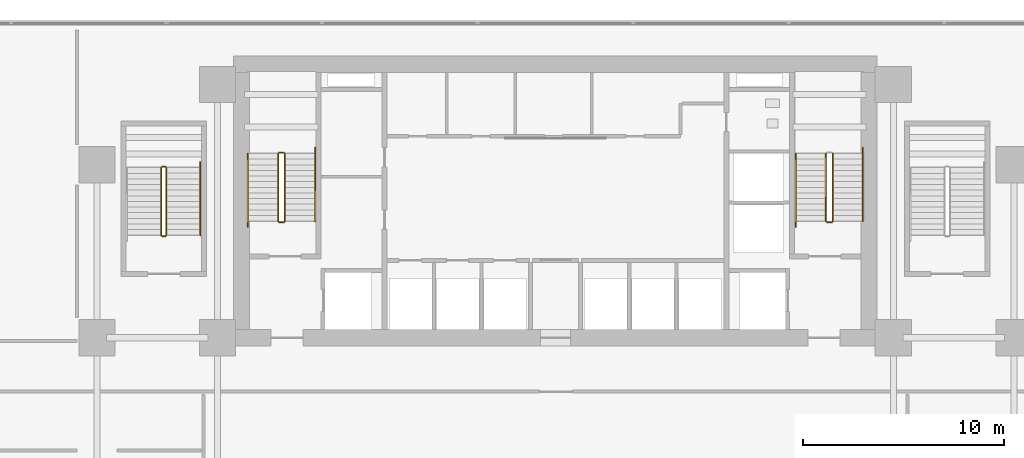
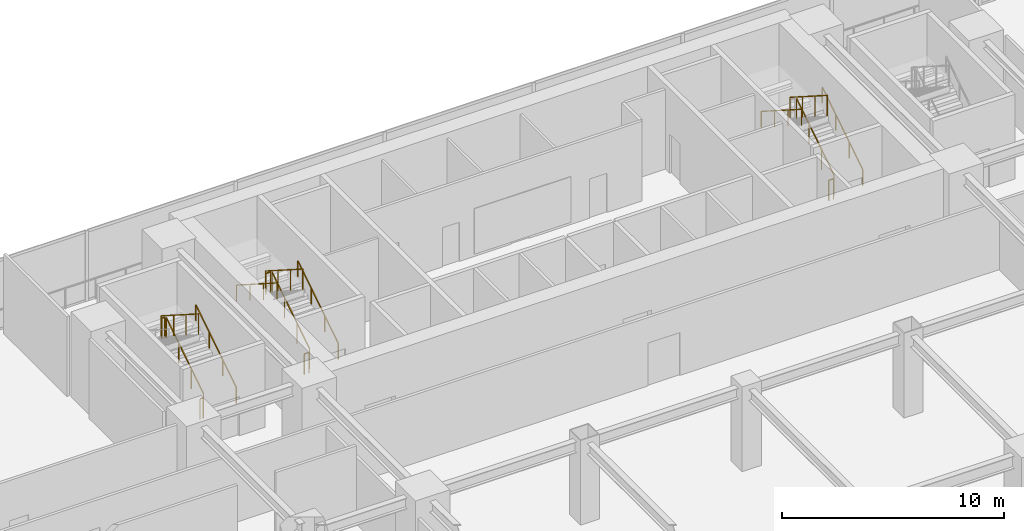
# One storey, part 13 of 17: 16 railings.
"""IFC4 building model written with IfcOpenShell, lengths in metres."""

from ifc_helpers import new_model, si_unit, direction, frame, origin, origin_2d, place, context, subcontext, project, spatial, rectangle, extrude, material, type_object, element, save


model = new_model("IFC4")

# Units and contexts
model_context = context("Model", 3, precision=1e-05, world=origin(), true_north=direction((0.0, 1.0)))
body_context = subcontext(model_context, "Body", "Model", "MODEL_VIEW")
ifc_project = project(units=[si_unit("LENGTHUNIT", "METRE"), si_unit("AREAUNIT", "SQUARE_METRE"), si_unit("VOLUMEUNIT", "CUBIC_METRE"), si_unit("PLANEANGLEUNIT", "RADIAN"), si_unit("MASSUNIT", "GRAM", prefix="KILO")], contexts=[model_context])

# Site, building, storey
site_placement = place(None, origin())
site = spatial("IfcSite", under=ifc_project, at=site_placement, CompositionType="ELEMENT")
building_placement = place(site_placement, origin())
building = spatial("IfcBuilding", under=site, at=building_placement, Name="Sumidabori Civic Tower", CompositionType="ELEMENT")
storey_placement = place(building_placement, frame((0.0, 0.0, 9.64990234375)))
storey = spatial("IfcBuildingStorey", under=building, at=storey_placement, Name="L02", CompositionType="ELEMENT", Elevation=9.64990234375)

# Railings
ifc_material_1 = material(Name="Stainless Steel Hairline Finish", Category="steel")
railing_type_1 = type_object("IfcRailingType", Name="RL-HANDRAIL", PredefinedType="HANDRAIL", material=ifc_material_1)
railing_1_placement = place(storey_placement, frame((-11.949951171875, 16.0, 0.178955078125)))
element("IfcRailing", 1, at=railing_1_placement, inside=storey, type_object=railing_type_1, Name="L02 ST-1 stair handrail 1", PredefinedType="HANDRAIL", context=body_context, shape_type="SweptSolid", body=[
    extrude(rectangle(XDim=0.048095703125, YDim=0.048095703125, at=origin_2d()), frame((0.0, 0.0, 0.8759765625), z_axis=(0.0, 0.842342193388, 0.538943066787), x_axis=(-1.0, 0.0, 0.0)), (0.0, 0.0, 1.0), 4.321044921875),
    extrude(rectangle(XDim=0.0419921875, YDim=0.0419921875, at=origin_2d()), origin(), (0.0, 0.0, 1.0), 0.851806640625),
    extrude(rectangle(XDim=0.0419921875, YDim=0.0419921875, at=origin_2d()), frame((0.0, 1.21337890625, 0.7763671875)), (0.0, 0.0, 1.0), 0.851806640625),
    extrude(rectangle(XDim=0.0419921875, YDim=0.0419921875, at=origin_2d()), frame((0.0, 2.426513671875, 1.552490234375)), (0.0, 0.0, 1.0), 0.851806640625),
    extrude(rectangle(XDim=0.0419921875, YDim=0.0419921875, at=origin_2d()), frame((0.0, 3.639892578125, 2.328857421875)), (0.0, 0.0, 1.0), 0.851806640625),
])
railing_2_placement = place(storey_placement, frame((-15.2900390625, 19.360107421875, 2.50390625)))
element("IfcRailing", 2, at=railing_2_placement, inside=storey, type_object=railing_type_1, Name="L02 ST-1 stair handrail 2", PredefinedType="HANDRAIL", context=body_context, shape_type="SweptSolid", body=[
    extrude(rectangle(XDim=0.048095703125, YDim=0.048095703125, at=origin_2d()), frame((0.0, 0.0, 0.8759765625), z_axis=(0.0, -0.842358602868, 0.538917418696), x_axis=(1.0, 0.0, 0.0)), (0.0, 0.0, 1.0), 4.3212890625),
    extrude(rectangle(XDim=0.0419921875, YDim=0.0419921875, at=origin_2d()), origin(), (0.0, 0.0, 1.0), 0.851806640625),
    extrude(rectangle(XDim=0.0419921875, YDim=0.0419921875, at=origin_2d()), frame((0.0, -1.21337890625, 0.7763671875)), (0.0, 0.0, 1.0), 0.851806640625),
    extrude(rectangle(XDim=0.0419921875, YDim=0.0419921875, at=origin_2d()), frame((0.0, -2.4267578125, 1.552490234375)), (0.0, 0.0, 1.0), 0.851806640625),
    extrude(rectangle(XDim=0.0419921875, YDim=0.0419921875, at=origin_2d()), frame((0.0, -3.64013671875, 2.328857421875)), (0.0, 0.0, 1.0), 0.851806640625),
])
railing_3_placement = place(storey_placement, frame((15.2900390625, 16.0, 0.178955078125)))
element("IfcRailing", 3, at=railing_3_placement, inside=storey, type_object=railing_type_1, Name="L02 ST-2 stair handrail 1", PredefinedType="HANDRAIL", context=body_context, shape_type="SweptSolid", body=[
    extrude(rectangle(XDim=0.048095703125, YDim=0.048095703125, at=origin_2d()), frame((0.0, 0.0, 0.8759765625), z_axis=(0.0, 0.842342193388, 0.538943066787), x_axis=(-1.0, 0.0, 0.0)), (0.0, 0.0, 1.0), 4.321044921875),
    extrude(rectangle(XDim=0.0419921875, YDim=0.0419921875, at=origin_2d()), origin(), (0.0, 0.0, 1.0), 0.851806640625),
    extrude(rectangle(XDim=0.0419921875, YDim=0.0419921875, at=origin_2d()), frame((0.0, 1.21337890625, 0.7763671875)), (0.0, 0.0, 1.0), 0.851806640625),
    extrude(rectangle(XDim=0.0419921875, YDim=0.0419921875, at=origin_2d()), frame((0.0, 2.426513671875, 1.552490234375)), (0.0, 0.0, 1.0), 0.851806640625),
    extrude(rectangle(XDim=0.0419921875, YDim=0.0419921875, at=origin_2d()), frame((0.0, 3.639892578125, 2.328857421875)), (0.0, 0.0, 1.0), 0.851806640625),
])
railing_4_placement = place(storey_placement, frame((11.949951171875, 19.360107421875, 2.50390625)))
element("IfcRailing", 4, at=railing_4_placement, inside=storey, type_object=railing_type_1, Name="L02 ST-2 stair handrail 2", PredefinedType="HANDRAIL", context=body_context, shape_type="SweptSolid", body=[
    extrude(rectangle(XDim=0.048095703125, YDim=0.048095703125, at=origin_2d()), frame((0.0, 0.0, 0.8759765625), z_axis=(0.0, -0.842358602868, 0.538917418696), x_axis=(1.0, 0.0, 0.0)), (0.0, 0.0, 1.0), 4.3212890625),
    extrude(rectangle(XDim=0.0419921875, YDim=0.0419921875, at=origin_2d()), origin(), (0.0, 0.0, 1.0), 0.851806640625),
    extrude(rectangle(XDim=0.0419921875, YDim=0.0419921875, at=origin_2d()), frame((0.0, -1.21337890625, 0.7763671875)), (0.0, 0.0, 1.0), 0.851806640625),
    extrude(rectangle(XDim=0.0419921875, YDim=0.0419921875, at=origin_2d()), frame((0.0, -2.4267578125, 1.552490234375)), (0.0, 0.0, 1.0), 0.851806640625),
    extrude(rectangle(XDim=0.0419921875, YDim=0.0419921875, at=origin_2d()), frame((0.0, -3.64013671875, 2.328857421875)), (0.0, 0.0, 1.0), 0.851806640625),
])
railing_5_placement = place(storey_placement, frame((-17.64990234375, 15.300048828125, 0.178955078125)))
element("IfcRailing", 5, at=railing_5_placement, inside=storey, type_object=railing_type_1, Name="L02 ST-3 stair handrail 1", PredefinedType="HANDRAIL", context=body_context, shape_type="SweptSolid", body=[
    extrude(rectangle(XDim=0.048095703125, YDim=0.048095703125, at=origin_2d()), frame((0.0, 0.0, 0.8759765625), z_axis=(0.0, 0.842342193388, 0.538943066787), x_axis=(-1.0, 0.0, 0.0)), (0.0, 0.0, 1.0), 4.321044921875),
    extrude(rectangle(XDim=0.0419921875, YDim=0.0419921875, at=origin_2d()), origin(), (0.0, 0.0, 1.0), 0.851806640625),
    extrude(rectangle(XDim=0.0419921875, YDim=0.0419921875, at=origin_2d()), frame((0.0, 1.21337890625, 0.7763671875)), (0.0, 0.0, 1.0), 0.851806640625),
    extrude(rectangle(XDim=0.0419921875, YDim=0.0419921875, at=origin_2d()), frame((0.0, 2.426513671875, 1.552490234375)), (0.0, 0.0, 1.0), 0.851806640625),
    extrude(rectangle(XDim=0.0419921875, YDim=0.0419921875, at=origin_2d()), frame((0.0, 3.639892578125, 2.328857421875)), (0.0, 0.0, 1.0), 0.851806640625),
])
ifc_material_2 = material(Name="Steel SN490", Category="steel")
railing_type_2 = type_object("IfcRailingType", Name="RL-STAIR-GUARD", PredefinedType="GUARDRAIL", material=ifc_material_2)
railing_6_placement = place(storey_placement, frame((-13.449951171875, 16.0, 0.178955078125)))
element("IfcRailing", 6, at=railing_6_placement, inside=storey, type_object=railing_type_2, Name="L02 ST-1 stair guard 1", PredefinedType="GUARDRAIL", context=body_context, shape_type="SweptSolid", body=[
    extrude(rectangle(XDim=0.048095703125, YDim=0.048095703125, at=origin_2d()), frame((0.0, 0.0, 1.1259765625), z_axis=(0.0, 0.842752589747, 0.538301098341), x_axis=(-1.0, 0.0, 0.0)), (0.0, 0.0, 1.0), 3.987060546875),
    extrude(rectangle(XDim=0.0419921875, YDim=0.0419921875, at=origin_2d()), origin(), (0.0, 0.0, 1.0), 1.101806640625),
    extrude(rectangle(XDim=0.0419921875, YDim=0.0419921875, at=origin_2d()), frame((0.0, 1.1201171875, 0.71533203125)), (0.0, 0.0, 1.0), 1.101806640625),
    extrude(rectangle(XDim=0.0419921875, YDim=0.0419921875, at=origin_2d()), frame((0.0, 2.239990234375, 1.430908203125)), (0.0, 0.0, 1.0), 1.101806640625),
    extrude(rectangle(XDim=0.0419921875, YDim=0.0419921875, at=origin_2d()), frame((0.0, 3.360107421875, 2.146240234375)), (0.0, 0.0, 1.0), 1.101806640625),
])
railing_7_placement = place(storey_placement, frame((-13.5, 19.409912109375, 2.3251953125)))
element("IfcRailing", 7, at=railing_7_placement, inside=storey, type_object=railing_type_2, Name="L02 ST-1 stair guard 2", PredefinedType="GUARDRAIL", context=body_context, shape_type="SweptSolid", body=[
    extrude(rectangle(XDim=0.048095703125, YDim=0.048095703125, at=origin_2d()), frame((0.0, 0.0, 1.1259765625), z_axis=(-1.0, 0.0, 0.0), x_axis=(0.0, -1.0, 0.0)), (0.0, 0.0, 1.0), 0.239990234375),
    extrude(rectangle(XDim=0.0419921875, YDim=0.0419921875, at=origin_2d()), origin(), (0.0, 0.0, 1.0), 1.101806640625),
    extrude(rectangle(XDim=0.0419921875, YDim=0.0419921875, at=origin_2d()), frame((-0.239990234375, 0.0, 0.0)), (0.0, 0.0, 1.0), 1.101806640625),
])
railing_8_placement = place(storey_placement, frame((-13.7900390625, 19.360107421875, 2.50390625)))
element("IfcRailing", 8, at=railing_8_placement, inside=storey, type_object=railing_type_2, Name="L02 ST-1 stair guard 3", PredefinedType="GUARDRAIL", context=body_context, shape_type="SweptSolid", body=[
    extrude(rectangle(XDim=0.048095703125, YDim=0.048095703125, at=origin_2d()), frame((0.0, 0.0, 1.1259765625), z_axis=(0.0, -0.842752589747, 0.538301098341), x_axis=(1.0, 0.0, 0.0)), (0.0, 0.0, 1.0), 3.987060546875),
    extrude(rectangle(XDim=0.0419921875, YDim=0.0419921875, at=origin_2d()), origin(), (0.0, 0.0, 1.0), 1.101806640625),
    extrude(rectangle(XDim=0.0419921875, YDim=0.0419921875, at=origin_2d()), frame((0.0, -1.1201171875, 0.71533203125)), (0.0, 0.0, 1.0), 1.101806640625),
    extrude(rectangle(XDim=0.0419921875, YDim=0.0419921875, at=origin_2d()), frame((0.0, -2.239990234375, 1.430908203125)), (0.0, 0.0, 1.0), 1.101806640625),
    extrude(rectangle(XDim=0.0419921875, YDim=0.0419921875, at=origin_2d()), frame((0.0, -3.360107421875, 2.146240234375)), (0.0, 0.0, 1.0), 1.101806640625),
])
railing_9_placement = place(storey_placement, frame((-13.5, 15.949951171875, 0.0)))
element("IfcRailing", 9, at=railing_9_placement, inside=storey, type_object=railing_type_2, Name="L02 ST-1 stair guard 4", PredefinedType="GUARDRAIL", context=body_context, shape_type="SweptSolid", body=[
    extrude(rectangle(XDim=0.048095703125, YDim=0.048095703125, at=origin_2d()), frame((0.0, 0.0, 1.1259765625), z_axis=(-1.0, 0.0, 0.0), x_axis=(0.0, -1.0, 0.0)), (0.0, 0.0, 1.0), 0.239990234375),
    extrude(rectangle(XDim=0.0419921875, YDim=0.0419921875, at=origin_2d()), origin(), (0.0, 0.0, 1.0), 1.101806640625),
    extrude(rectangle(XDim=0.0419921875, YDim=0.0419921875, at=origin_2d()), frame((-0.239990234375, 0.0, 0.0)), (0.0, 0.0, 1.0), 1.101806640625),
])
railing_10_placement = place(storey_placement, frame((13.7900390625, 16.0, 0.178955078125)))
element("IfcRailing", 10, at=railing_10_placement, inside=storey, type_object=railing_type_2, Name="L02 ST-2 stair guard 1", PredefinedType="GUARDRAIL", context=body_context, shape_type="SweptSolid", body=[
    extrude(rectangle(XDim=0.048095703125, YDim=0.048095703125, at=origin_2d()), frame((0.0, 0.0, 1.1259765625), z_axis=(0.0, 0.842752589747, 0.538301098341), x_axis=(-1.0, 0.0, 0.0)), (0.0, 0.0, 1.0), 3.987060546875),
    extrude(rectangle(XDim=0.0419921875, YDim=0.0419921875, at=origin_2d()), origin(), (0.0, 0.0, 1.0), 1.101806640625),
    extrude(rectangle(XDim=0.0419921875, YDim=0.0419921875, at=origin_2d()), frame((0.0, 1.1201171875, 0.71533203125)), (0.0, 0.0, 1.0), 1.101806640625),
    extrude(rectangle(XDim=0.0419921875, YDim=0.0419921875, at=origin_2d()), frame((0.0, 2.239990234375, 1.430908203125)), (0.0, 0.0, 1.0), 1.101806640625),
    extrude(rectangle(XDim=0.0419921875, YDim=0.0419921875, at=origin_2d()), frame((0.0, 3.360107421875, 2.146240234375)), (0.0, 0.0, 1.0), 1.101806640625),
])
railing_11_placement = place(storey_placement, frame((13.449951171875, 19.360107421875, 2.50390625)))
element("IfcRailing", 11, at=railing_11_placement, inside=storey, type_object=railing_type_2, Name="L02 ST-2 stair guard 3", PredefinedType="GUARDRAIL", context=body_context, shape_type="SweptSolid", body=[
    extrude(rectangle(XDim=0.048095703125, YDim=0.048095703125, at=origin_2d()), frame((0.0, 0.0, 1.1259765625), z_axis=(0.0, -0.842752589747, 0.538301098341), x_axis=(1.0, 0.0, 0.0)), (0.0, 0.0, 1.0), 3.987060546875),
    extrude(rectangle(XDim=0.0419921875, YDim=0.0419921875, at=origin_2d()), origin(), (0.0, 0.0, 1.0), 1.101806640625),
    extrude(rectangle(XDim=0.0419921875, YDim=0.0419921875, at=origin_2d()), frame((0.0, -1.1201171875, 0.71533203125)), (0.0, 0.0, 1.0), 1.101806640625),
    extrude(rectangle(XDim=0.0419921875, YDim=0.0419921875, at=origin_2d()), frame((0.0, -2.239990234375, 1.430908203125)), (0.0, 0.0, 1.0), 1.101806640625),
    extrude(rectangle(XDim=0.0419921875, YDim=0.0419921875, at=origin_2d()), frame((0.0, -3.360107421875, 2.146240234375)), (0.0, 0.0, 1.0), 1.101806640625),
])
railing_12_placement = place(storey_placement, frame((13.739990234375, 15.949951171875, 0.0)))
element("IfcRailing", 12, at=railing_12_placement, inside=storey, type_object=railing_type_2, Name="L02 ST-2 stair guard 4", PredefinedType="GUARDRAIL", context=body_context, shape_type="SweptSolid", body=[
    extrude(rectangle(XDim=0.048095703125, YDim=0.048095703125, at=origin_2d()), frame((0.0, 0.0, 1.1259765625), z_axis=(-1.0, 0.0, 0.0), x_axis=(0.0, -1.0, 0.0)), (0.0, 0.0, 1.0), 0.239990234375),
    extrude(rectangle(XDim=0.0419921875, YDim=0.0419921875, at=origin_2d()), origin(), (0.0, 0.0, 1.0), 1.101806640625),
    extrude(rectangle(XDim=0.0419921875, YDim=0.0419921875, at=origin_2d()), frame((-0.239990234375, 0.0, 0.0)), (0.0, 0.0, 1.0), 1.101806640625),
])
railing_13_placement = place(storey_placement, frame((-19.35009765625, 15.300048828125, 0.178955078125)))
element("IfcRailing", 13, at=railing_13_placement, inside=storey, type_object=railing_type_2, Name="L02 ST-3 stair guard 1", PredefinedType="GUARDRAIL", context=body_context, shape_type="SweptSolid", body=[
    extrude(rectangle(XDim=0.048095703125, YDim=0.048095703125, at=origin_2d()), frame((0.0, 0.0, 1.1259765625), z_axis=(0.0, 0.842734844946, 0.538328878209), x_axis=(-1.0, 0.0, 0.0)), (0.0, 0.0, 1.0), 3.98681640625),
    extrude(rectangle(XDim=0.0419921875, YDim=0.0419921875, at=origin_2d()), origin(), (0.0, 0.0, 1.0), 1.101806640625),
    extrude(rectangle(XDim=0.0419921875, YDim=0.0419921875, at=origin_2d()), frame((0.0, 1.119873046875, 0.71533203125)), (0.0, 0.0, 1.0), 1.101806640625),
    extrude(rectangle(XDim=0.0419921875, YDim=0.0419921875, at=origin_2d()), frame((0.0, 2.239990234375, 1.430908203125)), (0.0, 0.0, 1.0), 1.101806640625),
    extrude(rectangle(XDim=0.0419921875, YDim=0.0419921875, at=origin_2d()), frame((0.0, 3.35986328125, 2.146240234375)), (0.0, 0.0, 1.0), 1.101806640625),
])
railing_14_placement = place(storey_placement, frame((-19.39990234375, 18.7099609375, 2.3251953125)))
element("IfcRailing", 14, at=railing_14_placement, inside=storey, type_object=railing_type_2, Name="L02 ST-3 stair guard 2", PredefinedType="GUARDRAIL", context=body_context, shape_type="SweptSolid", body=[
    extrude(rectangle(XDim=0.048095703125, YDim=0.048095703125, at=origin_2d()), frame((0.0, 0.0, 1.1259765625), z_axis=(-1.0, 0.0, 0.0), x_axis=(0.0, -1.0, 0.0)), (0.0, 0.0, 1.0), 0.16015625),
    extrude(rectangle(XDim=0.0419921875, YDim=0.0419921875, at=origin_2d()), origin(), (0.0, 0.0, 1.0), 1.101806640625),
    extrude(rectangle(XDim=0.0419921875, YDim=0.0419921875, at=origin_2d()), frame((-0.16015625, 0.0, 0.0)), (0.0, 0.0, 1.0), 1.101806640625),
])
railing_15_placement = place(storey_placement, frame((-19.610107421875, 18.659912109375, 2.50390625)))
element("IfcRailing", 15, at=railing_15_placement, inside=storey, type_object=railing_type_2, Name="L02 ST-3 stair guard 3", PredefinedType="GUARDRAIL", context=body_context, shape_type="SweptSolid", body=[
    extrude(rectangle(XDim=0.048095703125, YDim=0.048095703125, at=origin_2d()), frame((0.0, 0.0, 1.1259765625), z_axis=(0.0, -0.842734844946, 0.538328878209), x_axis=(1.0, 0.0, 0.0)), (0.0, 0.0, 1.0), 3.98681640625),
    extrude(rectangle(XDim=0.0419921875, YDim=0.0419921875, at=origin_2d()), origin(), (0.0, 0.0, 1.0), 1.101806640625),
    extrude(rectangle(XDim=0.0419921875, YDim=0.0419921875, at=origin_2d()), frame((0.0, -1.119873046875, 0.71533203125)), (0.0, 0.0, 1.0), 1.101806640625),
    extrude(rectangle(XDim=0.0419921875, YDim=0.0419921875, at=origin_2d()), frame((0.0, -2.239990234375, 1.430908203125)), (0.0, 0.0, 1.0), 1.101806640625),
    extrude(rectangle(XDim=0.0419921875, YDim=0.0419921875, at=origin_2d()), frame((0.0, -3.35986328125, 2.146240234375)), (0.0, 0.0, 1.0), 1.101806640625),
])
railing_16_placement = place(storey_placement, frame((-19.39990234375, 15.25, 0.0)))
element("IfcRailing", 16, at=railing_16_placement, inside=storey, type_object=railing_type_2, Name="L02 ST-3 stair guard 4", PredefinedType="GUARDRAIL", context=body_context, shape_type="SweptSolid", body=[
    extrude(rectangle(XDim=0.048095703125, YDim=0.048095703125, at=origin_2d()), frame((0.0, 0.0, 1.1259765625), z_axis=(-1.0, 0.0, 0.0), x_axis=(0.0, -1.0, 0.0)), (0.0, 0.0, 1.0), 0.16015625),
    extrude(rectangle(XDim=0.0419921875, YDim=0.0419921875, at=origin_2d()), origin(), (0.0, 0.0, 1.0), 1.101806640625),
    extrude(rectangle(XDim=0.0419921875, YDim=0.0419921875, at=origin_2d()), frame((-0.16015625, 0.0, 0.0)), (0.0, 0.0, 1.0), 1.101806640625),
])

save(model, "model.ifc")
